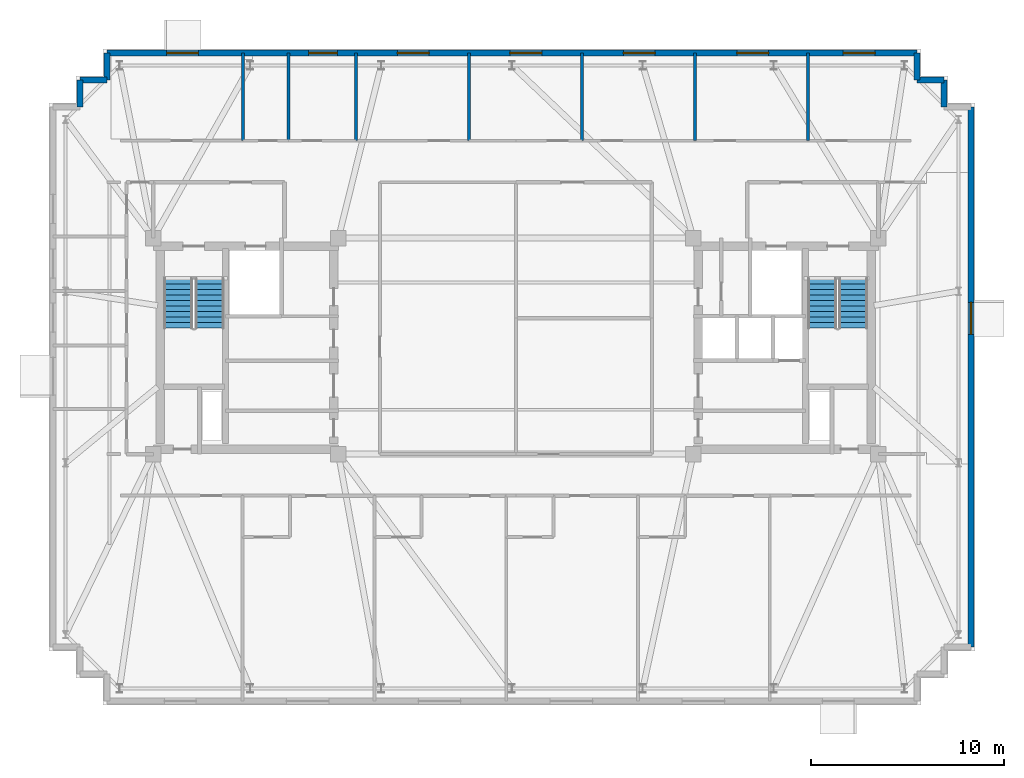
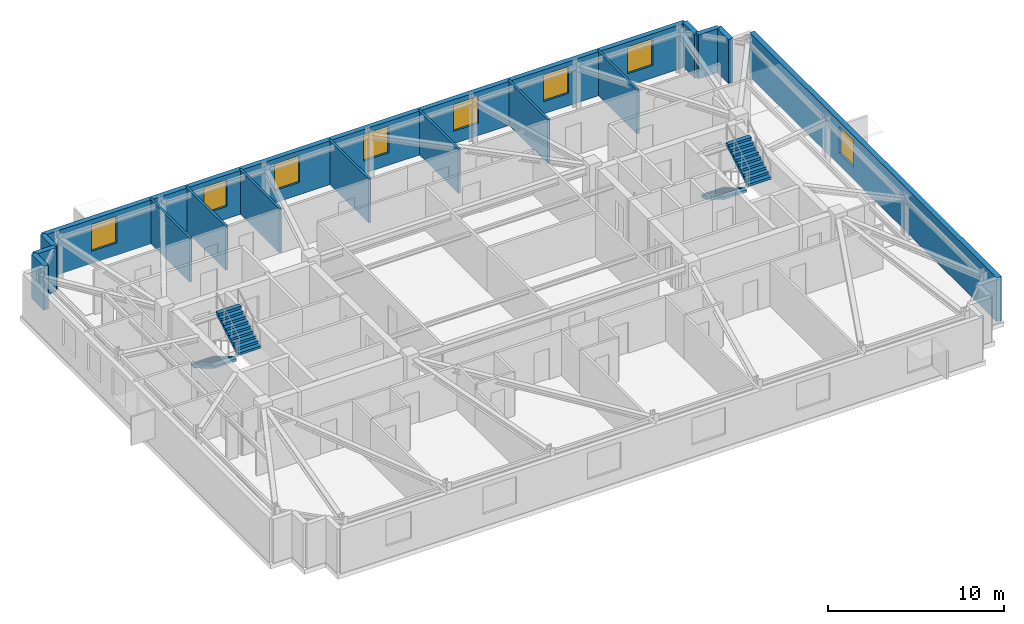
# One storey, part 9 of 12: 15 walls, 8 windows, 4 stair flights, 8 openings, 2 elements without a shape of their own.
"""IFC4 building model written with IfcOpenShell, lengths in metres."""

from ifc_helpers import new_model, si_unit, direction, frame, frame_2d, origin, place, context, subcontext, project, spatial, polyline, rectangle, outline, extrude, material, layer, layer_set, type_object, element, fill, aggregate, save


model = new_model("IFC4")

# Units and contexts
model_context = context("Model", 3, precision=1e-05, world=origin(), true_north=direction((0.0, 1.0)))
body_context = subcontext(model_context, "Body", "Model", "MODEL_VIEW")
ifc_project = project(units=[si_unit("LENGTHUNIT", "METRE"), si_unit("AREAUNIT", "SQUARE_METRE"), si_unit("VOLUMEUNIT", "CUBIC_METRE"), si_unit("PLANEANGLEUNIT", "RADIAN"), si_unit("MASSUNIT", "GRAM", prefix="KILO")], contexts=[model_context])

# Site, building, storey
site_placement = place(None, origin())
site = spatial("IfcSite", under=ifc_project, at=site_placement, CompositionType="ELEMENT")
building_placement = place(site_placement, origin())
building = spatial("IfcBuilding", under=site, at=building_placement, Name="Qobustan Lattice House", CompositionType="ELEMENT")
storey_placement = place(building_placement, frame((0.0, 0.0, 241.699951171875)))
storey = spatial("IfcBuildingStorey", under=building, at=storey_placement, Name="L68", CompositionType="ELEMENT", Elevation=241.699951171875)

# Walls
ifc_material_1 = material(Name="Precast concrete C40/50", Category="concrete")
ifc_layer_1 = layer(ifc_material_1, 0.320068359375)
ifc_layer_set_1 = layer_set([ifc_layer_1], Name="Precast concrete C40/50")
wall_type_1 = type_object("IfcWallType", Name="WAL-EXT-STONE-320", PredefinedType="SOLIDWALL", material=ifc_layer_set_1)
for number, where, z_axis, x_axis, name in (
    (1, (-22.60009765625, 12.39990234375, 0.0), (0.0, 0.0, 1.0), (0.0, 1.0, 0.0), "L68 exterior limestone-clad wall 7"),
    (2, (-22.60009765625, 13.800048828125, 0.0), (0.0, 0.0, 1.0), (1.0, 0.0, 0.0), "L68 exterior limestone-clad wall 8"),
):
    element("IfcWall", number, at=place(storey_placement, frame(where, z_axis=z_axis, x_axis=x_axis)), inside=storey, type_object=wall_type_1, Name=name, PredefinedType="SOLIDWALL", context=body_context, shape_type="SweptSolid", body=[
        extrude(rectangle(XDim=1.400146484375, YDim=0.320068359375, at=frame_2d((0.7001953125, 0.0))), origin(), (0.0, 0.0, 1.0), 3.0400390625),
    ])
wall_1_placement = place(storey_placement, frame((-21.199951171875, 13.800048828125, 0.0), z_axis=(0.0, 0.0, 1.0), x_axis=(0.0, 1.0, 0.0)))
element("IfcWall", 3, at=wall_1_placement, inside=storey, type_object=wall_type_1, Name="L68 exterior limestone-clad wall 9", PredefinedType="SOLIDWALL", context=body_context, shape_type="SweptSolid", body=[
    extrude(rectangle(XDim=1.39990234375, YDim=0.320068359375, at=frame_2d((0.699951171875, 0.0))), origin(), (0.0, 0.0, 1.0), 3.0400390625),
])

# Wall, openings, windows
wall_2_placement = place(storey_placement, frame((-21.199951171875, 15.199951171875, 0.0), z_axis=(0.0, 0.0, 1.0), x_axis=(1.0, 0.0, 0.0)))
wall_2 = element("IfcWall", 4, at=wall_2_placement, inside=storey, type_object=wall_type_1, Name="L68 exterior limestone-clad wall 10", PredefinedType="SOLIDWALL", context=body_context, shape_type="SweptSolid", body=[
    extrude(rectangle(XDim=42.0, YDim=0.320068359375, at=frame_2d((21.0, 0.0))), origin(), (0.0, 0.0, 1.0), 3.0400390625),
])
opening_1_placement = place(wall_2_placement, frame((3.094970703125, 0.0, 0.85009765625)))
opening_1 = element("IfcOpeningElement", 5, at=opening_1_placement, cuts=wall_2, Name="Opening WN-09", PredefinedType="OPENING", context=body_context, shape_type="SweptSolid", body=[
    extrude(rectangle(XDim=1.64990234375, YDim=1.85009765625, at=frame_2d((0.824951171875, 0.925048828125))), frame((0.0, 0.169921875, 0.0), z_axis=(0.0, -1.0, 0.0), x_axis=(1.0, 0.0, 0.0)), (0.0, 0.0, 1.0), 0.340087890625),
])
opening_2_placement = place(wall_2_placement, frame((10.449951171875, 0.0, 0.85009765625)))
opening_2 = element("IfcOpeningElement", 6, at=opening_2_placement, cuts=wall_2, Name="Opening WN-01", PredefinedType="OPENING", context=body_context, shape_type="SweptSolid", body=[
    extrude(rectangle(XDim=1.5, YDim=1.85009765625, at=frame_2d((0.75, 0.925048828125))), frame((0.0, 0.169921875, 0.0), z_axis=(0.0, -1.0, 0.0), x_axis=(1.0, 0.0, 0.0)), (0.0, 0.0, 1.0), 0.340087890625),
])
opening_3_placement = place(wall_2_placement, frame((15.054931640625, 0.0, 0.85009765625)))
opening_3 = element("IfcOpeningElement", 7, at=opening_3_placement, cuts=wall_2, Name="Opening WN-09", PredefinedType="OPENING", context=body_context, shape_type="SweptSolid", body=[
    extrude(rectangle(XDim=1.64990234375, YDim=1.85009765625, at=frame_2d((0.824951171875, 0.925048828125))), frame((0.0, 0.169921875, 0.0), z_axis=(0.0, -1.0, 0.0), x_axis=(1.0, 0.0, 0.0)), (0.0, 0.0, 1.0), 0.340087890625),
])
opening_4_placement = place(wall_2_placement, frame((20.89501953125, 0.0, 0.85009765625)))
opening_4 = element("IfcOpeningElement", 8, at=opening_4_placement, cuts=wall_2, Name="Opening WN-09", PredefinedType="OPENING", context=body_context, shape_type="SweptSolid", body=[
    extrude(rectangle(XDim=1.64990234375, YDim=1.85009765625, at=frame_2d((0.824951171875, 0.925048828125))), frame((0.0, 0.169921875, 0.0), z_axis=(0.0, -1.0, 0.0), x_axis=(1.0, 0.0, 0.0)), (0.0, 0.0, 1.0), 0.340087890625),
])
opening_5_placement = place(wall_2_placement, frame((26.77490234375, 0.0, 0.85009765625)))
opening_5 = element("IfcOpeningElement", 9, at=opening_5_placement, cuts=wall_2, Name="Opening WN-09", PredefinedType="OPENING", context=body_context, shape_type="SweptSolid", body=[
    extrude(rectangle(XDim=1.64990234375, YDim=1.85009765625, at=frame_2d((0.824951171875, 0.925048828125))), frame((0.0, 0.169921875, 0.0), z_axis=(0.0, -1.0, 0.0), x_axis=(1.0, 0.0, 0.0)), (0.0, 0.0, 1.0), 0.340087890625),
])
opening_6_placement = place(wall_2_placement, frame((32.655029296875, 0.0, 0.85009765625)))
opening_6 = element("IfcOpeningElement", 10, at=opening_6_placement, cuts=wall_2, Name="Opening WN-09", PredefinedType="OPENING", context=body_context, shape_type="SweptSolid", body=[
    extrude(rectangle(XDim=1.64990234375, YDim=1.85009765625, at=frame_2d((0.824951171875, 0.925048828125))), frame((0.0, 0.169921875, 0.0), z_axis=(0.0, -1.0, 0.0), x_axis=(1.0, 0.0, 0.0)), (0.0, 0.0, 1.0), 0.340087890625),
])
opening_7_placement = place(wall_2_placement, frame((38.175048828125, 0.0, 0.85009765625)))
opening_7 = element("IfcOpeningElement", 11, at=opening_7_placement, cuts=wall_2, Name="Opening WN-09", PredefinedType="OPENING", context=body_context, shape_type="SweptSolid", body=[
    extrude(rectangle(XDim=1.64990234375, YDim=1.85009765625, at=frame_2d((0.824951171875, 0.925048828125))), frame((0.0, 0.169921875, 0.0), z_axis=(0.0, -1.0, 0.0), x_axis=(1.0, 0.0, 0.0)), (0.0, 0.0, 1.0), 0.340087890625),
])
ifc_material_2 = material(Name="Double-glazed low-E aluminium window", Category="aluminium")
window_type_1 = type_object("IfcWindowType", Name="WIN-BED-1500x1850", PartitioningType="SINGLE_PANEL", PredefinedType="WINDOW", material=ifc_material_2)
window_1_placement = place(opening_2_placement, origin())
window_1 = element("IfcWindow", 12, at=window_1_placement, inside=storey, type_object=window_type_1, Name="L68 Laundry utility room window", OverallHeight=1.85009765625, OverallWidth=1.5, PartitioningType="SINGLE_PANEL", PredefinedType="WINDOW", context=body_context, shape_type="SweptSolid", body=[
    extrude(rectangle(XDim=1.5, YDim=1.85009765625, at=frame_2d((0.75, 0.925048828125))), frame((0.0, 0.030029296875, 0.0), z_axis=(0.0, -1.0, 0.0), x_axis=(1.0, 0.0, 0.0)), (0.0, 0.0, 1.0), 0.06005859375),
])
fill(opening_2, window_1)
ifc_material_3 = material(Name="Double-glazed low-E aluminium window", Category="aluminium")
window_type_2 = type_object("IfcWindowType", Name="WIN-STU-1650x1850", PartitioningType="SINGLE_PANEL", PredefinedType="WINDOW", material=ifc_material_3)
window_2_placement = place(opening_1_placement, origin())
window_2 = element("IfcWindow", 13, at=window_2_placement, inside=storey, type_object=window_type_2, Name="L68 Focus study room N1 window", OverallHeight=1.85009765625, OverallWidth=1.64990234375, PartitioningType="SINGLE_PANEL", PredefinedType="WINDOW", context=body_context, shape_type="SweptSolid", body=[
    extrude(rectangle(XDim=1.64990234375, YDim=1.85009765625, at=frame_2d((0.824951171875, 0.925048828125))), frame((0.0, 0.030029296875, 0.0), z_axis=(0.0, -1.0, 0.0), x_axis=(1.0, 0.0, 0.0)), (0.0, 0.0, 1.0), 0.06005859375),
])
fill(opening_1, window_2)
window_3_placement = place(opening_3_placement, origin())
window_3 = element("IfcWindow", 14, at=window_3_placement, inside=storey, type_object=window_type_2, Name="L68 Focus study room N3 window", OverallHeight=1.85009765625, OverallWidth=1.64990234375, PartitioningType="SINGLE_PANEL", PredefinedType="WINDOW", context=body_context, shape_type="SweptSolid", body=[
    extrude(rectangle(XDim=1.64990234375, YDim=1.85009765625, at=frame_2d((0.824951171875, 0.925048828125))), frame((0.0, 0.030029296875, 0.0), z_axis=(0.0, -1.0, 0.0), x_axis=(1.0, 0.0, 0.0)), (0.0, 0.0, 1.0), 0.06005859375),
])
fill(opening_3, window_3)
window_4_placement = place(opening_4_placement, origin())
window_4 = element("IfcWindow", 15, at=window_4_placement, inside=storey, type_object=window_type_2, Name="L68 Focus study room N4 window", OverallHeight=1.85009765625, OverallWidth=1.64990234375, PartitioningType="SINGLE_PANEL", PredefinedType="WINDOW", context=body_context, shape_type="SweptSolid", body=[
    extrude(rectangle(XDim=1.64990234375, YDim=1.85009765625, at=frame_2d((0.824951171875, 0.925048828125))), frame((0.0, 0.030029296875, 0.0), z_axis=(0.0, -1.0, 0.0), x_axis=(1.0, 0.0, 0.0)), (0.0, 0.0, 1.0), 0.06005859375),
])
fill(opening_4, window_4)
window_5_placement = place(opening_5_placement, origin())
window_5 = element("IfcWindow", 16, at=window_5_placement, inside=storey, type_object=window_type_2, Name="L68 Focus study room N5 window", OverallHeight=1.85009765625, OverallWidth=1.64990234375, PartitioningType="SINGLE_PANEL", PredefinedType="WINDOW", context=body_context, shape_type="SweptSolid", body=[
    extrude(rectangle(XDim=1.64990234375, YDim=1.85009765625, at=frame_2d((0.824951171875, 0.925048828125))), frame((0.0, 0.030029296875, 0.0), z_axis=(0.0, -1.0, 0.0), x_axis=(1.0, 0.0, 0.0)), (0.0, 0.0, 1.0), 0.06005859375),
])
fill(opening_5, window_5)
window_6_placement = place(opening_6_placement, origin())
window_6 = element("IfcWindow", 17, at=window_6_placement, inside=storey, type_object=window_type_2, Name="L68 Focus study room N6 window", OverallHeight=1.85009765625, OverallWidth=1.64990234375, PartitioningType="SINGLE_PANEL", PredefinedType="WINDOW", context=body_context, shape_type="SweptSolid", body=[
    extrude(rectangle(XDim=1.64990234375, YDim=1.85009765625, at=frame_2d((0.824951171875, 0.925048828125))), frame((0.0, 0.030029296875, 0.0), z_axis=(0.0, -1.0, 0.0), x_axis=(1.0, 0.0, 0.0)), (0.0, 0.0, 1.0), 0.06005859375),
])
fill(opening_6, window_6)
window_7_placement = place(opening_7_placement, origin())
window_7 = element("IfcWindow", 18, at=window_7_placement, inside=storey, type_object=window_type_2, Name="L68 Focus study room N7 window", OverallHeight=1.85009765625, OverallWidth=1.64990234375, PartitioningType="SINGLE_PANEL", PredefinedType="WINDOW", context=body_context, shape_type="SweptSolid", body=[
    extrude(rectangle(XDim=1.64990234375, YDim=1.85009765625, at=frame_2d((0.824951171875, 0.925048828125))), frame((0.0, 0.030029296875, 0.0), z_axis=(0.0, -1.0, 0.0), x_axis=(1.0, 0.0, 0.0)), (0.0, 0.0, 1.0), 0.06005859375),
])
fill(opening_7, window_7)

# Walls
for number, where, z_axis, x_axis, name in (
    (19, (20.800048828125, 15.199951171875, 0.0), (0.0, 0.0, 1.0), (0.0, -1.0, 0.0), "L68 exterior limestone-clad wall 11"),
    (20, (20.800048828125, 13.800048828125, 0.0), (0.0, 0.0, 1.0), (1.0, 0.0, 0.0), "L68 exterior limestone-clad wall 12"),
):
    element("IfcWall", number, at=place(storey_placement, frame(where, z_axis=z_axis, x_axis=x_axis)), inside=storey, type_object=wall_type_1, Name=name, PredefinedType="SOLIDWALL", context=body_context, shape_type="SweptSolid", body=[
        extrude(rectangle(XDim=1.39990234375, YDim=0.320068359375, at=frame_2d((0.699951171875, 0.0))), origin(), (0.0, 0.0, 1.0), 3.0400390625),
    ])
wall_3_placement = place(storey_placement, frame((22.199951171875, 13.800048828125, 0.0), z_axis=(0.0, 0.0, 1.0), x_axis=(0.0, -1.0, 0.0)))
element("IfcWall", 21, at=wall_3_placement, inside=storey, type_object=wall_type_1, Name="L68 exterior limestone-clad wall 13", PredefinedType="SOLIDWALL", context=body_context, shape_type="SweptSolid", body=[
    extrude(rectangle(XDim=1.400146484375, YDim=0.320068359375, at=frame_2d((0.7001953125, 0.0))), origin(), (0.0, 0.0, 1.0), 3.0400390625),
])

# Wall, opening, window
wall_4_placement = place(storey_placement, frame((23.60009765625, 12.39990234375, 0.0), z_axis=(0.0, 0.0, 1.0), x_axis=(0.0, -1.0, 0.0)))
wall_4 = element("IfcWall", 22, at=wall_4_placement, inside=storey, type_object=wall_type_1, Name="L68 exterior limestone-clad wall 15", PredefinedType="SOLIDWALL", context=body_context, shape_type="SweptSolid", body=[
    extrude(rectangle(XDim=28.0, YDim=0.320068359375, at=frame_2d((14.0, 0.0))), origin(), (0.0, 0.0, 1.0), 3.0400390625),
])
opening_8_placement = place(wall_4_placement, frame((10.135009765625, 0.0, 0.85009765625)))
opening_8 = element("IfcOpeningElement", 23, at=opening_8_placement, cuts=wall_4, Name="Opening WN-09", PredefinedType="OPENING", context=body_context, shape_type="SweptSolid", body=[
    extrude(rectangle(XDim=1.64990234375, YDim=1.85009765625, at=frame_2d((0.824951171875, 0.925048828125))), frame((0.0, 0.169921875, 0.0), z_axis=(0.0, -1.0, 0.0), x_axis=(1.0, 0.0, 0.0)), (0.0, 0.0, 1.0), 0.340087890625),
])
window_8_placement = place(opening_8_placement, origin())
window_8 = element("IfcWindow", 24, at=window_8_placement, inside=storey, type_object=window_type_2, Name="L68 Communal study lounge window", OverallHeight=1.85009765625, OverallWidth=1.64990234375, PartitioningType="SINGLE_PANEL", PredefinedType="WINDOW", context=body_context, shape_type="SweptSolid", body=[
    extrude(rectangle(XDim=1.64990234375, YDim=1.85009765625, at=frame_2d((0.824951171875, 0.925048828125))), frame((0.0, 0.030029296875, 0.0), z_axis=(0.0, -1.0, 0.0), x_axis=(1.0, 0.0, 0.0)), (0.0, 0.0, 1.0), 0.06005859375),
])
fill(opening_8, window_8)

# Walls
ifc_material_4 = material(Name="Acoustic twin-stud gypsum partition", Category="gypsum")
ifc_layer_2 = layer(ifc_material_4, 0.14990234375)
ifc_layer_set_2 = layer_set([ifc_layer_2], Name="Acoustic twin-stud gypsum partition")
wall_type_2 = type_object("IfcWallType", Name="WAL-PART-150", PredefinedType="PARTITIONING", material=ifc_layer_set_2)
for number, where, z_axis, x_axis, name in (
    (25, (-8.285888671875, 15.199951171875, 0.0), (0.0, 0.0, 1.0), (0.0, -1.0, 0.0), "L68 interior partition 74"),
    (26, (-2.428955078125, 15.199951171875, 0.0), (0.0, 0.0, 1.0), (0.0, -1.0, 0.0), "L68 interior partition 75"),
    (27, (3.428955078125, 15.199951171875, 0.0), (0.0, 0.0, 1.0), (0.0, -1.0, 0.0), "L68 interior partition 76"),
    (28, (9.285888671875, 15.199951171875, 0.0), (0.0, 0.0, 1.0), (0.0, -1.0, 0.0), "L68 interior partition 77"),
    (29, (15.14306640625, 15.199951171875, 0.0), (0.0, 0.0, 1.0), (0.0, -1.0, 0.0), "L68 interior partition 78"),
):
    element("IfcWall", number, at=place(storey_placement, frame(where, z_axis=z_axis, x_axis=x_axis)), inside=storey, type_object=wall_type_2, Name=name, PredefinedType="PARTITIONING", context=body_context, shape_type="SweptSolid", body=[
        extrude(rectangle(XDim=4.550048828125, YDim=0.14990234375, at=frame_2d((2.27490234375, 0.0))), origin(), (0.0, 0.0, 1.0), 3.0400390625),
    ])
ifc_material_5 = material(Name="Moisture-resistant acoustic plumbing wall", Category="gypsum")
ifc_layer_3 = layer(ifc_material_5, 0.14990234375)
ifc_layer_set_3 = layer_set([ifc_layer_3], Name="Moisture-resistant acoustic plumbing wall")
wall_type_3 = type_object("IfcWallType", Name="WAL-WET-150", PredefinedType="PLUMBINGWALL", material=ifc_layer_set_3)
for number, where, z_axis, x_axis, name in (
    (30, (-14.14306640625, 15.199951171875, 0.0), (0.0, 0.0, 1.0), (0.0, -1.0, 0.0), "L68 interior partition 72"),
    (31, (-11.79296875, 15.199951171875, 0.0), (0.0, 0.0, 1.0), (0.0, -1.0, 0.0), "L68 interior partition 73"),
):
    element("IfcWall", number, at=place(storey_placement, frame(where, z_axis=z_axis, x_axis=x_axis)), inside=storey, type_object=wall_type_3, Name=name, PredefinedType="PLUMBINGWALL", context=body_context, shape_type="SweptSolid", body=[
        extrude(rectangle(XDim=4.550048828125, YDim=0.14990234375, at=frame_2d((2.27490234375, 0.0))), origin(), (0.0, 0.0, 1.0), 3.0400390625),
    ])

# Stair, stair flights
ifc_material_6 = material(Name="Concrete C40/50", Category="concrete")
stair_type = type_object("IfcStairType", Name="STR-CORE-DOGLEG", PredefinedType="HALF_TURN_STAIR", material=ifc_material_6)
stair_1_placement = place(storey_placement, origin())
stair_1 = element("IfcStair", 32, at=stair_1_placement, inside=storey, type_object=stair_type, Name="L68 West protected exit stair ST-W1", PredefinedType="HALF_TURN_STAIR")
ifc_material_7 = material(Name="Concrete C40/50", Category="concrete")
stair_flight_type = type_object("IfcStairFlightType", Name="SFL-RC-1500", PredefinedType="STRAIGHT", material=ifc_material_7)
stair_flight_1_placement = place(storey_placement, frame((-17.5, 3.5, 0.0), z_axis=(0.0, 0.0, 1.0), x_axis=(0.0, -1.0, 0.0)))
stair_flight_1 = element("IfcStairFlight", 33, at=stair_flight_1_placement, type_object=stair_flight_type, Name="ST-W1 flight 1", NumberOfRisers=10, NumberOfTreads=9, PredefinedType="STRAIGHT", RiserHeight=0.1675, TreadLength=0.285, context=body_context, shape_type="SweptSolid", body=[
    extrude(outline(polyline([(0.0, 0.0), (0.0, 0.16748046875), (0.284912109375, 0.16748046875), (0.284912109375, 0.3349609375), (0.570068359375, 0.3349609375), (0.570068359375, 0.50244140625), (0.85498046875, 0.50244140625), (0.85498046875, 0.669921875), (1.139892578125, 0.669921875), (1.139892578125, 0.83740234375), (1.425048828125, 0.83740234375), (1.425048828125, 1.0048828125), (1.7099609375, 1.0048828125), (1.7099609375, 1.172607421875), (1.9951171875, 1.172607421875), (1.9951171875, 1.340087890625), (2.280029296875, 1.340087890625), (2.280029296875, 1.507568359375), (2.56494140625, 1.507568359375), (2.56494140625, 1.675048828125), (2.56494140625, 1.333740234375), (0.2958984375, 0.0), (0.0, 0.0)])), frame((0.0, 0.75, 0.0), z_axis=(0.0, -1.0, 0.0), x_axis=(1.0, 0.0, 0.0)), (0.0, 0.0, 1.0), 1.5),
])
stair_flight_2_placement = place(storey_placement, frame((-15.8798828125, 0.93505859375, 1.675048828125), z_axis=(0.0, 0.0, 1.0), x_axis=(0.0, 1.0, 0.0)))
stair_flight_2 = element("IfcStairFlight", 34, at=stair_flight_2_placement, type_object=stair_flight_type, Name="ST-W1 flight 2", NumberOfRisers=10, NumberOfTreads=9, PredefinedType="STRAIGHT", RiserHeight=0.1675, TreadLength=0.285, context=body_context, shape_type="SweptSolid", body=[
    extrude(outline(polyline([(0.0, 0.0), (0.0, 0.16748046875), (0.284912109375, 0.16748046875), (0.284912109375, 0.3349609375), (0.570068359375, 0.3349609375), (0.570068359375, 0.50244140625), (0.85498046875, 0.50244140625), (0.85498046875, 0.669921875), (1.139892578125, 0.669921875), (1.139892578125, 0.83740234375), (1.425048828125, 0.83740234375), (1.425048828125, 1.0048828125), (1.7099609375, 1.0048828125), (1.7099609375, 1.172607421875), (1.9951171875, 1.172607421875), (1.9951171875, 1.340087890625), (2.280029296875, 1.340087890625), (2.280029296875, 1.507568359375), (2.56494140625, 1.507568359375), (2.56494140625, 1.675048828125), (2.56494140625, 1.333740234375), (0.2958984375, 0.0), (0.0, 0.0)])), frame((0.0, 0.75, 0.0), z_axis=(0.0, -1.0, 0.0), x_axis=(1.0, 0.0, 0.0)), (0.0, 0.0, 1.0), 1.5),
])
aggregate(stair_1, [stair_flight_1, stair_flight_2])

stair_2_placement = place(storey_placement, origin())
stair_2 = element("IfcStair", 35, at=stair_2_placement, inside=storey, type_object=stair_type, Name="L68 East protected exit stair ST-E1", PredefinedType="HALF_TURN_STAIR")
stair_flight_3_placement = place(storey_placement, frame((15.8798828125, 3.5, 0.0), z_axis=(0.0, 0.0, 1.0), x_axis=(0.0, -1.0, 0.0)))
stair_flight_3 = element("IfcStairFlight", 36, at=stair_flight_3_placement, type_object=stair_flight_type, Name="ST-E1 flight 1", NumberOfRisers=10, NumberOfTreads=9, PredefinedType="STRAIGHT", RiserHeight=0.1675, TreadLength=0.285, context=body_context, shape_type="SweptSolid", body=[
    extrude(outline(polyline([(0.0, 0.0), (0.0, 0.16748046875), (0.284912109375, 0.16748046875), (0.284912109375, 0.3349609375), (0.570068359375, 0.3349609375), (0.570068359375, 0.50244140625), (0.85498046875, 0.50244140625), (0.85498046875, 0.669921875), (1.139892578125, 0.669921875), (1.139892578125, 0.83740234375), (1.425048828125, 0.83740234375), (1.425048828125, 1.0048828125), (1.7099609375, 1.0048828125), (1.7099609375, 1.172607421875), (1.9951171875, 1.172607421875), (1.9951171875, 1.340087890625), (2.280029296875, 1.340087890625), (2.280029296875, 1.507568359375), (2.56494140625, 1.507568359375), (2.56494140625, 1.675048828125), (2.56494140625, 1.333740234375), (0.2958984375, 0.0), (0.0, 0.0)])), frame((0.0, 0.75, 0.0), z_axis=(0.0, -1.0, 0.0), x_axis=(1.0, 0.0, 0.0)), (0.0, 0.0, 1.0), 1.5),
])
stair_flight_4_placement = place(storey_placement, frame((17.5, 0.93505859375, 1.675048828125), z_axis=(0.0, 0.0, 1.0), x_axis=(0.0, 1.0, 0.0)))
stair_flight_4 = element("IfcStairFlight", 37, at=stair_flight_4_placement, type_object=stair_flight_type, Name="ST-E1 flight 2", NumberOfRisers=10, NumberOfTreads=9, PredefinedType="STRAIGHT", RiserHeight=0.1675, TreadLength=0.285, context=body_context, shape_type="SweptSolid", body=[
    extrude(outline(polyline([(0.0, 0.0), (0.0, 0.16748046875), (0.284912109375, 0.16748046875), (0.284912109375, 0.3349609375), (0.570068359375, 0.3349609375), (0.570068359375, 0.50244140625), (0.85498046875, 0.50244140625), (0.85498046875, 0.669921875), (1.139892578125, 0.669921875), (1.139892578125, 0.83740234375), (1.425048828125, 0.83740234375), (1.425048828125, 1.0048828125), (1.7099609375, 1.0048828125), (1.7099609375, 1.172607421875), (1.9951171875, 1.172607421875), (1.9951171875, 1.340087890625), (2.280029296875, 1.340087890625), (2.280029296875, 1.507568359375), (2.56494140625, 1.507568359375), (2.56494140625, 1.675048828125), (2.56494140625, 1.333740234375), (0.2958984375, 0.0), (0.0, 0.0)])), frame((0.0, 0.75, 0.0), z_axis=(0.0, -1.0, 0.0), x_axis=(1.0, 0.0, 0.0)), (0.0, 0.0, 1.0), 1.5),
])
aggregate(stair_2, [stair_flight_3, stair_flight_4])

save(model, "model.ifc")
